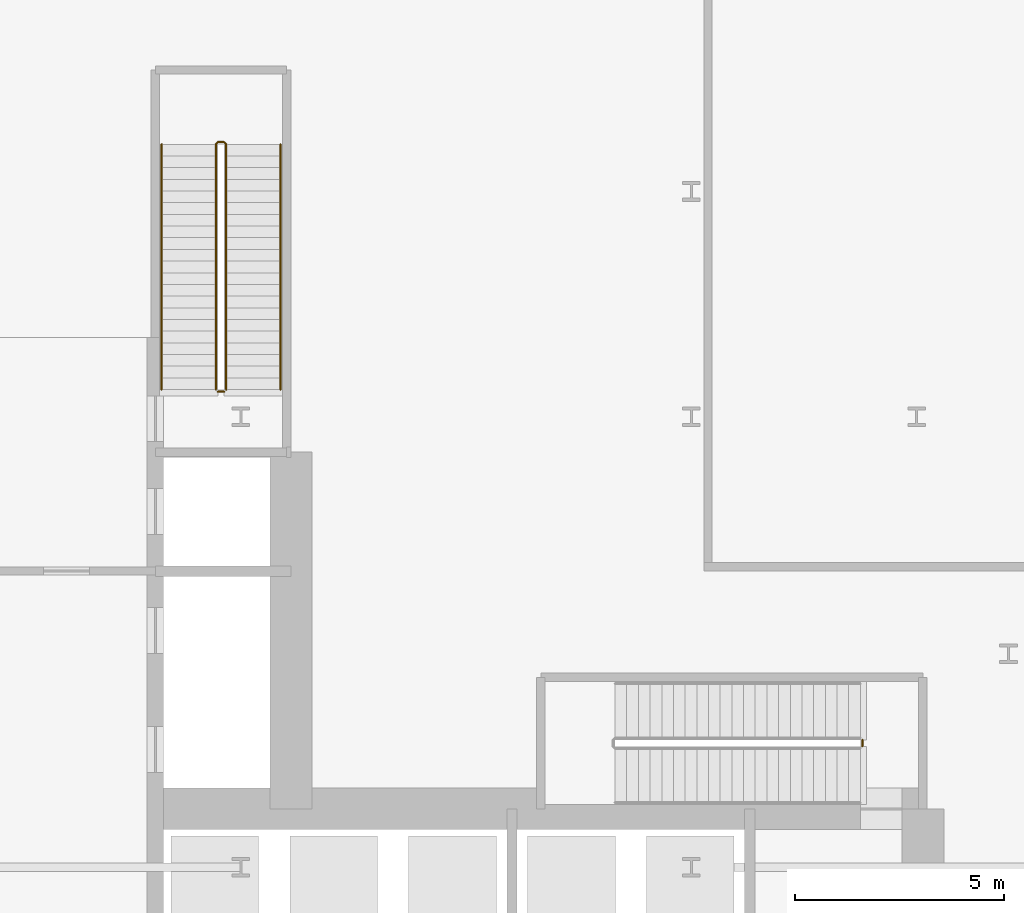
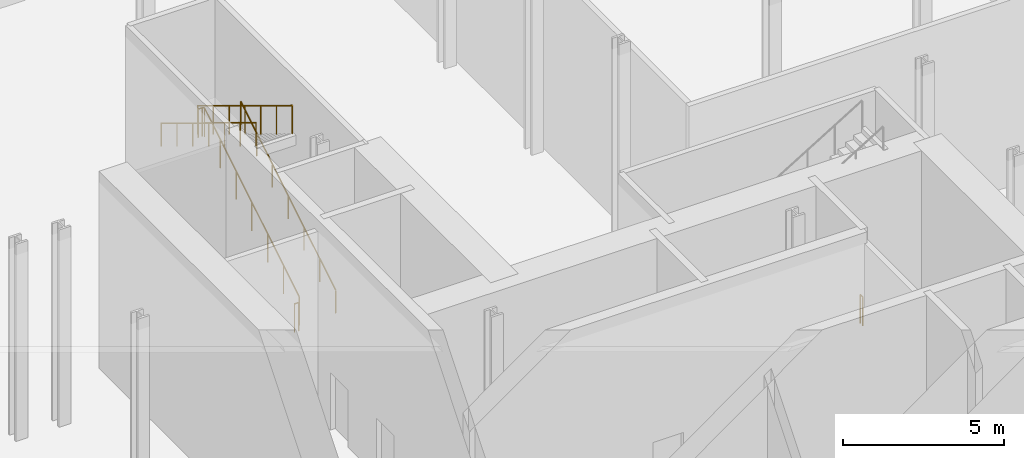
# One storey, part 36 of 46: 5 railings.
"""IFC4 building model written with IfcOpenShell, lengths in metres."""

from ifc_helpers import new_model, si_unit, direction, frame, origin, origin_2d, place, context, subcontext, project, spatial, circle, extrude, material, type_object, element, save


model = new_model("IFC4")

# Units and contexts
model_context = context("Model", 3, precision=1e-05, world=origin(), true_north=direction((0.0, 1.0)))
body_context = subcontext(model_context, "Body", "Model", "MODEL_VIEW")
ifc_project = project(units=[si_unit("LENGTHUNIT", "METRE"), si_unit("AREAUNIT", "SQUARE_METRE"), si_unit("VOLUMEUNIT", "CUBIC_METRE"), si_unit("PLANEANGLEUNIT", "RADIAN"), si_unit("MASSUNIT", "GRAM", prefix="KILO")], contexts=[model_context])

# Site, building, storey
site_placement = place(None, origin())
site = spatial("IfcSite", under=ifc_project, at=site_placement, CompositionType="ELEMENT")
building_placement = place(site_placement, origin())
building = spatial("IfcBuilding", under=site, at=building_placement, Name="Kheshtan School and Residences Tower", CompositionType="ELEMENT")
storey_placement = place(building_placement, origin())
storey = spatial("IfcBuildingStorey", under=building, at=storey_placement, Name="L00", CompositionType="ELEMENT", Elevation=0.0)

# Railings
ifc_material_1 = material(Name="Stainless steel balustrade", Category="steel")
railing_type_1 = type_object("IfcRailingType", Name="Stair guard 1100", PredefinedType="GUARDRAIL", material=ifc_material_1)
railing_1_placement = place(storey_placement, frame((51.699951171875, 37.85009765625, 0.0)))
element("IfcRailing", 1, at=railing_1_placement, inside=storey, type_object=railing_type_1, Name="L00 ST1 stair guard 2", PredefinedType="GUARDRAIL", context=body_context, shape_type="SweptSolid", body=[
    extrude(circle(Radius=0.02392578125, at=origin_2d()), frame((0.0, 0.0, 1.076171875), z_axis=(0.0, -1.0, 0.0), x_axis=(1.0, 0.0, 0.0)), (0.0, 0.0, 1.0), 0.150146484375),
    extrude(circle(Radius=0.02099609375, at=origin_2d()), origin(), (0.0, 0.0, 1.0), 1.052001953125),
    extrude(circle(Radius=0.02099609375, at=origin_2d()), frame((0.0, -0.150146484375, 0.0)), (0.0, 0.0, 1.0), 1.052001953125),
])
railing_2_placement = place(storey_placement, frame((36.449951171875, 46.25, 0.17041015625)))
element("IfcRailing", 2, at=railing_2_placement, inside=storey, type_object=railing_type_1, Name="L00 ST2 stair guard 1", PredefinedType="GUARDRAIL", context=body_context, shape_type="SweptSolid", body=[
    extrude(circle(Radius=0.02392578125, at=origin_2d()), frame((0.0, 0.0, 1.076171875), z_axis=(0.0, 0.854164310681, 0.520003202259), x_axis=(-1.0, 0.0, 0.0)), (0.0, 0.0, 1.0), 6.8837890625),
    extrude(circle(Radius=0.02392578125, at=origin_2d()), frame((0.0, 5.8798828125, 4.65576171875), z_axis=(-0.707106781187, 0.707106781187, 0.0), x_axis=(-0.707106781187, -0.707106781187, 0.0)), (0.0, 0.0, 1.0), 0.07080078125),
    extrude(circle(Radius=0.02392578125, at=origin_2d()), frame((-0.050048828125, 5.929931640625, 4.65576171875), z_axis=(-1.0, 0.0, 0.0), x_axis=(0.0, -1.0, 0.0)), (0.0, 0.0, 1.0), 0.14990234375),
    extrude(circle(Radius=0.02392578125, at=origin_2d()), frame((-0.199951171875, 5.929931640625, 4.65576171875), z_axis=(-0.271230943075, -0.271230943075, 0.923508284228), x_axis=(0.707106781187, -0.707106781187, 0.0)), (0.0, 0.0, 1.0), 0.1845703125),
    extrude(circle(Radius=0.02392578125, at=origin_2d()), frame((-0.25, 5.8798828125, 4.826171875), z_axis=(0.0, -0.854164310681, 0.520003202259), x_axis=(1.0, 0.0, 0.0)), (0.0, 0.0, 1.0), 6.8837890625),
    extrude(circle(Radius=0.02099609375, at=origin_2d()), origin(), (0.0, 0.0, 1.0), 1.052001953125),
    extrude(circle(Radius=0.02099609375, at=origin_2d()), frame((0.0, 0.97998046875, 0.5966796875)), (0.0, 0.0, 1.0), 1.052001953125),
    extrude(circle(Radius=0.02099609375, at=origin_2d()), frame((0.0, 1.9599609375, 1.193115234375)), (0.0, 0.0, 1.0), 1.052001953125),
    extrude(circle(Radius=0.02099609375, at=origin_2d()), frame((0.0, 2.93994140625, 1.789794921875)), (0.0, 0.0, 1.0), 1.052001953125),
    extrude(circle(Radius=0.02099609375, at=origin_2d()), frame((0.0, 3.919921875, 2.386474609375)), (0.0, 0.0, 1.0), 1.052001953125),
    extrude(circle(Radius=0.02099609375, at=origin_2d()), frame((0.0, 4.89990234375, 2.98291015625)), (0.0, 0.0, 1.0), 1.052001953125),
    extrude(circle(Radius=0.02099609375, at=origin_2d()), frame((0.0, 5.8798828125, 3.57958984375)), (0.0, 0.0, 1.0), 1.052001953125),
    extrude(circle(Radius=0.02099609375, at=origin_2d()), frame((-0.050048828125, 5.929931640625, 3.57958984375)), (0.0, 0.0, 1.0), 1.052001953125),
    extrude(circle(Radius=0.02099609375, at=origin_2d()), frame((-0.199951171875, 5.929931640625, 3.57958984375)), (0.0, 0.0, 1.0), 1.052001953125),
    extrude(circle(Radius=0.02099609375, at=origin_2d()), frame((-0.25, 5.8798828125, 3.75)), (0.0, 0.0, 1.0), 1.052001953125),
    extrude(circle(Radius=0.02099609375, at=origin_2d()), frame((-0.25, 4.89990234375, 4.3466796875)), (0.0, 0.0, 1.0), 1.052001953125),
    extrude(circle(Radius=0.02099609375, at=origin_2d()), frame((-0.25, 3.919921875, 4.943115234375)), (0.0, 0.0, 1.0), 1.052001953125),
    extrude(circle(Radius=0.02099609375, at=origin_2d()), frame((-0.25, 2.93994140625, 5.539794921875)), (0.0, 0.0, 1.0), 1.052001953125),
    extrude(circle(Radius=0.02099609375, at=origin_2d()), frame((-0.25, 1.9599609375, 6.136474609375)), (0.0, 0.0, 1.0), 1.052001953125),
    extrude(circle(Radius=0.02099609375, at=origin_2d()), frame((-0.25, 0.97998046875, 6.73291015625)), (0.0, 0.0, 1.0), 1.052001953125),
    extrude(circle(Radius=0.02099609375, at=origin_2d()), frame((-0.25, 0.0, 7.32958984375)), (0.0, 0.0, 1.0), 1.052001953125),
])
railing_3_placement = place(storey_placement, frame((36.39990234375, 46.199951171875, 0.0)))
element("IfcRailing", 3, at=railing_3_placement, inside=storey, type_object=railing_type_1, Name="L00 ST2 stair guard 2", PredefinedType="GUARDRAIL", context=body_context, shape_type="SweptSolid", body=[
    extrude(circle(Radius=0.02392578125, at=origin_2d()), frame((0.0, 0.0, 1.076171875), z_axis=(-1.0, 0.0, 0.0), x_axis=(0.0, -1.0, 0.0)), (0.0, 0.0, 1.0), 0.14990234375),
    extrude(circle(Radius=0.02099609375, at=origin_2d()), origin(), (0.0, 0.0, 1.0), 1.052001953125),
    extrude(circle(Radius=0.02099609375, at=origin_2d()), frame((-0.14990234375, 0.0, 0.0)), (0.0, 0.0, 1.0), 1.052001953125),
])
ifc_material_2 = material(Name="Stainless steel handrail", Category="steel")
railing_type_2 = type_object("IfcRailingType", Name="Stair handrail 900", PredefinedType="HANDRAIL", material=ifc_material_2)
railing_4_placement = place(storey_placement, frame((37.75, 46.25, 0.17041015625)))
element("IfcRailing", 4, at=railing_4_placement, inside=storey, type_object=railing_type_2, Name="L00 ST2 stair handrail 1", PredefinedType="HANDRAIL", context=body_context, shape_type="SweptSolid", body=[
    extrude(circle(Radius=0.02392578125, at=origin_2d()), frame((0.0, 0.0, 0.8759765625), z_axis=(0.0, 0.854164310681, 0.520003202259), x_axis=(-1.0, 0.0, 0.0)), (0.0, 0.0, 1.0), 6.8837890625),
    extrude(circle(Radius=0.02099609375, at=origin_2d()), origin(), (0.0, 0.0, 1.0), 0.851806640625),
    extrude(circle(Radius=0.02099609375, at=origin_2d()), frame((0.0, 0.97998046875, 0.5966796875)), (0.0, 0.0, 1.0), 0.851806640625),
    extrude(circle(Radius=0.02099609375, at=origin_2d()), frame((0.0, 1.9599609375, 1.193115234375)), (0.0, 0.0, 1.0), 0.851806640625),
    extrude(circle(Radius=0.02099609375, at=origin_2d()), frame((0.0, 2.93994140625, 1.789794921875)), (0.0, 0.0, 1.0), 0.851806640625),
    extrude(circle(Radius=0.02099609375, at=origin_2d()), frame((0.0, 3.919921875, 2.386474609375)), (0.0, 0.0, 1.0), 0.851806640625),
    extrude(circle(Radius=0.02099609375, at=origin_2d()), frame((0.0, 4.89990234375, 2.98291015625)), (0.0, 0.0, 1.0), 0.851806640625),
    extrude(circle(Radius=0.02099609375, at=origin_2d()), frame((0.0, 5.8798828125, 3.57958984375)), (0.0, 0.0, 1.0), 0.851806640625),
])
railing_5_placement = place(storey_placement, frame((34.89990234375, 52.1298828125, 3.92041015625)))
element("IfcRailing", 5, at=railing_5_placement, inside=storey, type_object=railing_type_2, Name="L00 ST2 stair handrail 2", PredefinedType="HANDRAIL", context=body_context, shape_type="SweptSolid", body=[
    extrude(circle(Radius=0.02392578125, at=origin_2d()), frame((0.0, 0.0, 0.8759765625), z_axis=(0.0, -0.854164310681, 0.520003202259), x_axis=(1.0, 0.0, 0.0)), (0.0, 0.0, 1.0), 6.8837890625),
    extrude(circle(Radius=0.02099609375, at=origin_2d()), origin(), (0.0, 0.0, 1.0), 0.851806640625),
    extrude(circle(Radius=0.02099609375, at=origin_2d()), frame((0.0, -0.97998046875, 0.5966796875)), (0.0, 0.0, 1.0), 0.851806640625),
    extrude(circle(Radius=0.02099609375, at=origin_2d()), frame((0.0, -1.9599609375, 1.193115234375)), (0.0, 0.0, 1.0), 0.851806640625),
    extrude(circle(Radius=0.02099609375, at=origin_2d()), frame((0.0, -2.93994140625, 1.789794921875)), (0.0, 0.0, 1.0), 0.851806640625),
    extrude(circle(Radius=0.02099609375, at=origin_2d()), frame((0.0, -3.919921875, 2.386474609375)), (0.0, 0.0, 1.0), 0.851806640625),
    extrude(circle(Radius=0.02099609375, at=origin_2d()), frame((0.0, -4.89990234375, 2.98291015625)), (0.0, 0.0, 1.0), 0.851806640625),
    extrude(circle(Radius=0.02099609375, at=origin_2d()), frame((0.0, -5.8798828125, 3.57958984375)), (0.0, 0.0, 1.0), 0.851806640625),
])

save(model, "model.ifc")
